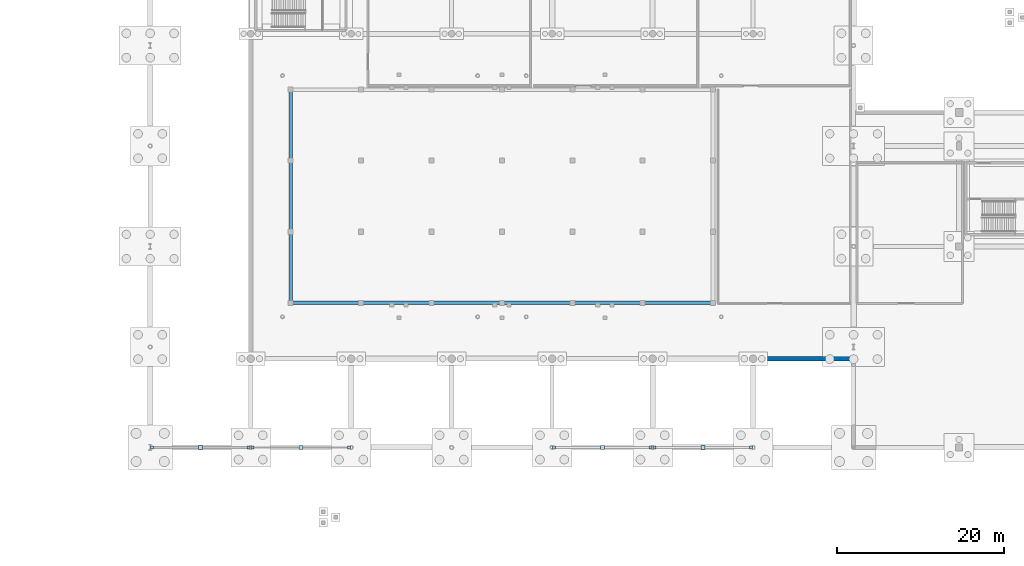
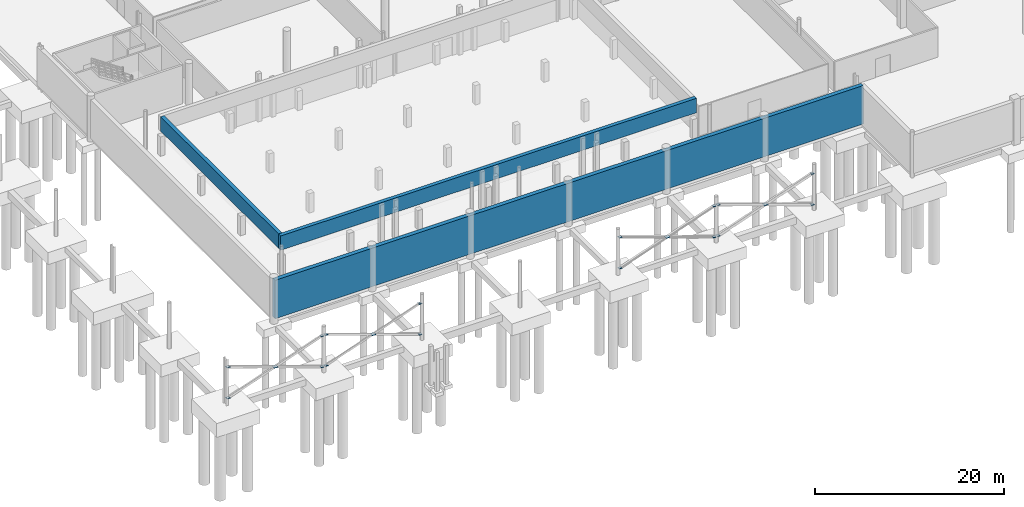
# One storey, part 26 of 42: 20 plates, 3 walls.
"""IFC4 building model written with IfcOpenShell, lengths in metres."""

from ifc_helpers import new_model, si_unit, direction, frame, frame_2d, origin, origin_2d, place, context, subcontext, project, spatial, rectangle, extrude, material, layer, layer_set, type_object, element, save


model = new_model("IFC4")

# Units and contexts
model_context = context("Model", 3, precision=1e-05, world=origin(), true_north=direction((0.0, 1.0)))
body_context = subcontext(model_context, "Body", "Model", "MODEL_VIEW")
ifc_project = project(units=[si_unit("LENGTHUNIT", "METRE"), si_unit("AREAUNIT", "SQUARE_METRE"), si_unit("VOLUMEUNIT", "CUBIC_METRE"), si_unit("PLANEANGLEUNIT", "RADIAN"), si_unit("MASSUNIT", "GRAM", prefix="KILO"), si_unit("THERMODYNAMICTEMPERATUREUNIT", "KELVIN"), si_unit("POWERUNIT", "WATT")], contexts=[model_context])

# Site, building, storey
site_placement = place(None, origin())
site = spatial("IfcSite", under=ifc_project, at=site_placement, CompositionType="ELEMENT")
building_placement = place(site_placement, origin())
building = spatial("IfcBuilding", under=site, at=building_placement, Name="Solmara Park Aquatics Centre", CompositionType="ELEMENT")
storey_placement = place(building_placement, frame((0.0, 0.0, -5.39990234375)))
storey = spatial("IfcBuildingStorey", under=building, at=storey_placement, Name="B1", CompositionType="ELEMENT", Elevation=-5.39990234375)

# Plates
ifc_material_1 = material(Name="Structural Steel S355", Category="steel")
ifc_layer_1 = layer(ifc_material_1, 0.02490234375, Name="Structural Steel S355")
ifc_layer_set_1 = layer_set([ifc_layer_1], Name="Structural Steel S355")
plate_type_1 = type_object("IfcPlateType", Name="STR-PLT-CAP360", PredefinedType="SHEET", material=ifc_layer_set_1)
for number, where, z_axis, x_axis, name in (
    (1, (12.840087890625, 12.60009765625, 0.1875), (0.0, 0.0, 1.0), (1.0, 0.0, 0.0), "Brace End Connection Cap Plate 002"),
    (2, (24.360107421875, 12.60009765625, 4.1875), (0.0, 0.0, 1.0), (1.0, 0.0, 0.0), "Brace End Connection Cap Plate 003"),
    (3, (24.360107421875, 12.60009765625, 0.1875), (0.0, 0.0, 1.0), (1.0, 0.0, 0.0), "Brace End Connection Cap Plate 004"),
    (4, (12.840087890625, 12.60009765625, 4.1875), (0.0, 0.0, 1.0), (1.0, 0.0, 0.0), "Brace End Connection Cap Plate 005"),
    (5, (24.840087890625, 12.60009765625, 0.1875), (0.0, 0.0, 1.0), (1.0, 0.0, 0.0), "Brace End Connection Cap Plate 007"),
    (6, (36.360107421875, 12.60009765625, 4.1875), (0.0, 0.0, 1.0), (1.0, 0.0, 0.0), "Brace End Connection Cap Plate 008"),
    (7, (36.360107421875, 12.60009765625, 0.1875), (0.0, 0.0, 1.0), (1.0, 0.0, 0.0), "Brace End Connection Cap Plate 009"),
    (8, (24.840087890625, 12.60009765625, 4.1875), (0.0, 0.0, 1.0), (1.0, 0.0, 0.0), "Brace End Connection Cap Plate 010"),
    (9, (60.840087890625, 12.60009765625, 0.1875), (0.0, 0.0, 1.0), (1.0, 0.0, 0.0), "Brace End Connection Cap Plate 012"),
    (10, (72.360107421875, 12.60009765625, 4.1875), (0.0, 0.0, 1.0), (1.0, 0.0, 0.0), "Brace End Connection Cap Plate 013"),
    (11, (72.360107421875, 12.60009765625, 0.1875), (0.0, 0.0, 1.0), (1.0, 0.0, 0.0), "Brace End Connection Cap Plate 014"),
    (12, (60.840087890625, 12.60009765625, 4.1875), (0.0, 0.0, 1.0), (1.0, 0.0, 0.0), "Brace End Connection Cap Plate 015"),
    (13, (72.840087890625, 12.60009765625, 0.1875), (0.0, 0.0, 1.0), (1.0, 0.0, 0.0), "Brace End Connection Cap Plate 017"),
    (14, (84.360107421875, 12.60009765625, 4.1875), (0.0, 0.0, 1.0), (1.0, 0.0, 0.0), "Brace End Connection Cap Plate 018"),
    (15, (84.360107421875, 12.60009765625, 0.1875), (0.0, 0.0, 1.0), (1.0, 0.0, 0.0), "Brace End Connection Cap Plate 019"),
    (16, (72.840087890625, 12.60009765625, 4.1875), (0.0, 0.0, 1.0), (1.0, 0.0, 0.0), "Brace End Connection Cap Plate 020"),
):
    element("IfcPlate", number, at=place(storey_placement, frame(where, z_axis=z_axis, x_axis=x_axis)), inside=storey, type_object=plate_type_1, Name=name, PredefinedType="SHEET", context=body_context, shape_type="SweptSolid", body=[
        extrude(rectangle(XDim=0.360107421875, YDim=0.360107421875, at=origin_2d()), origin(), (0.0, 0.0, 1.0), 0.02490234375),
    ])
ifc_layer_2 = layer(ifc_material_1, 0.031982421875, Name="Structural Steel S355")
ifc_layer_set_2 = layer_set([ifc_layer_2], Name="Structural Steel S355")
plate_type_2 = type_object("IfcPlateType", Name="STR-PLT-GUS60", PredefinedType="USERDEFINED", material=ifc_layer_set_2)
for number, where, z_axis, x_axis, name in (
    (17, (18.60009765625, 12.60009765625, 2.18408203125), (0.0, 0.0, 1.0), (1.0, 0.0, 0.0), "X-Brace Crossing Gusset Plate 001"),
    (18, (30.60009765625, 12.60009765625, 2.18408203125), (0.0, 0.0, 1.0), (1.0, 0.0, 0.0), "X-Brace Crossing Gusset Plate 006"),
    (19, (66.60009765625, 12.60009765625, 2.18408203125), (0.0, 0.0, 1.0), (1.0, 0.0, 0.0), "X-Brace Crossing Gusset Plate 011"),
    (20, (78.60009765625, 12.60009765625, 2.18408203125), (0.0, 0.0, 1.0), (1.0, 0.0, 0.0), "X-Brace Crossing Gusset Plate 016"),
):
    element("IfcPlate", number, at=place(storey_placement, frame(where, z_axis=z_axis, x_axis=x_axis)), inside=storey, type_object=plate_type_2, Name=name, ObjectType="GUSSET PLATE", PredefinedType="USERDEFINED", context=body_context, shape_type="SweptSolid", body=[
        extrude(rectangle(XDim=0.47998046875, YDim=0.47998046875, at=origin_2d()), origin(), (0.0, 0.0, 1.0), 0.031982421875),
    ])

# Walls
ifc_material_2 = material(Name="Watertight Concrete C45/55", Category="concrete")
ifc_layer_3 = layer(ifc_material_2, 0.5, Name="Watertight Concrete C45/55")
ifc_layer_set_3 = layer_set([ifc_layer_3], Name="Watertight Concrete C45/55")
wall_type_1 = type_object("IfcWallType", Name="STR-WL-RET500", PredefinedType="USERDEFINED", material=ifc_layer_set_3)
wall_1_placement = place(storey_placement, frame((24.60009765625, 23.199951171875, 0.0), z_axis=(0.0, 0.0, 1.0), x_axis=(1.0, 0.0, 0.0)))
element("IfcWall", 21, at=wall_1_placement, inside=storey, type_object=wall_type_1, Name="Basement Perimeter Retaining Wall 01", ObjectType="RETAINING WALL", PredefinedType="USERDEFINED", context=body_context, shape_type="SweptSolid", body=[
    extrude(rectangle(XDim=72.0, YDim=0.5, at=frame_2d((36.0, 0.0))), origin(), (0.0, 0.0, 1.0), 4.97998046875),
])
ifc_layer_4 = layer(ifc_material_2, 0.449951171875, Name="Watertight Concrete C45/55")
ifc_layer_set_4 = layer_set([ifc_layer_4], Name="Watertight Concrete C45/55")
wall_type_2 = type_object("IfcWallType", Name="STR-WL-TANK450", PredefinedType="SOLIDWALL", material=ifc_layer_set_4)
wall_2_placement = place(storey_placement, frame((29.14990234375, 29.875, 3.199951171875), z_axis=(0.0, 0.0, 1.0), x_axis=(1.0, 0.0, 0.0)))
element("IfcWall", 22, at=wall_2_placement, inside=storey, type_object=wall_type_2, Name="50m Olympic Competition Pool Watertight Wall WL-POOL-1-S", PredefinedType="SOLIDWALL", context=body_context, shape_type="SweptSolid", body=[
    extrude(rectangle(XDim=50.900146484375, YDim=0.449951171875, at=frame_2d((25.4501953125, 0.0))), origin(), (0.0, 0.0, 1.0), 1.85986328125),
])
wall_3_placement = place(storey_placement, frame((29.375, 30.10009765625, 3.199951171875), z_axis=(0.0, 0.0, 1.0), x_axis=(0.0, 1.0, 0.0)))
element("IfcWall", 23, at=wall_3_placement, inside=storey, type_object=wall_type_2, Name="50m Olympic Competition Pool Watertight Wall WL-POOL-1-W", PredefinedType="SOLIDWALL", context=body_context, shape_type="SweptSolid", body=[
    extrude(rectangle(XDim=25.0, YDim=0.449951171875, at=frame_2d((12.5, 0.0))), origin(), (0.0, 0.0, 1.0), 1.85986328125),
])

save(model, "model.ifc")
